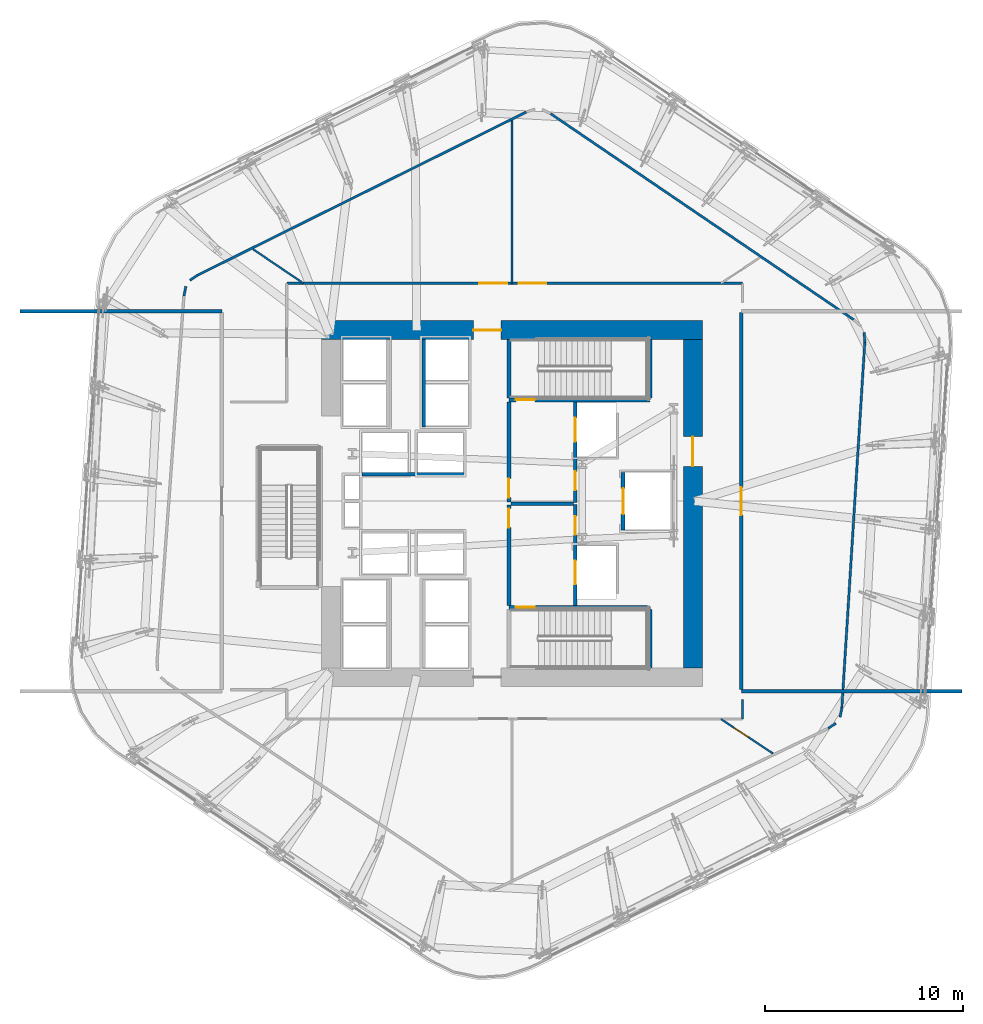
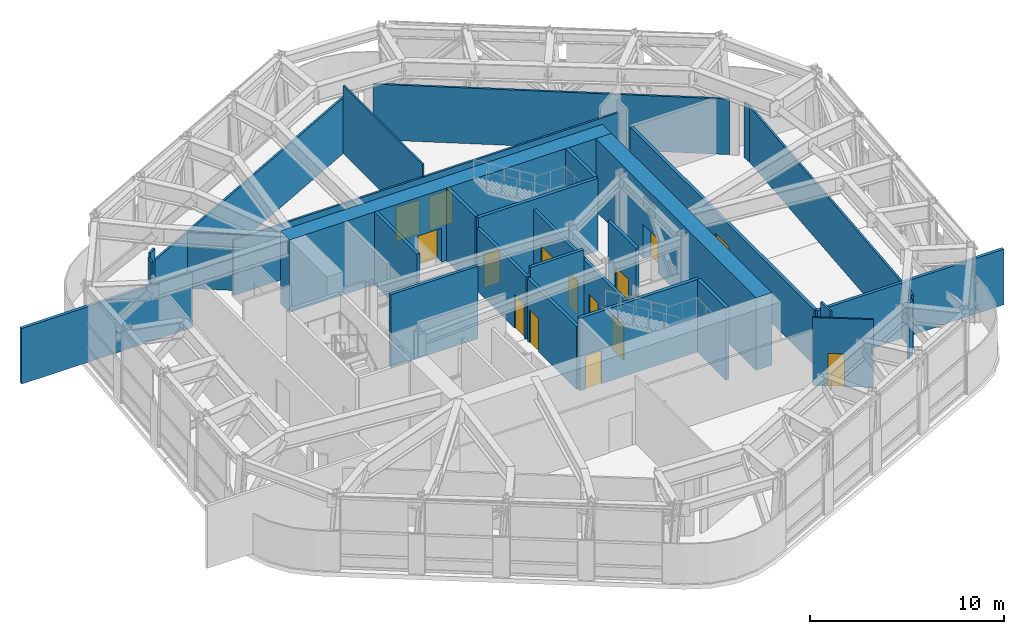
# One storey, part 9 of 14: 31 walls, 15 doors, 15 openings.
"""IFC4 building model written with IfcOpenShell, lengths in metres."""

from ifc_helpers import new_model, si_unit, direction, frame, frame_2d, origin, place, context, subcontext, project, spatial, rectangle, extrude, material, layer, layer_set, type_object, element, fill, save


model = new_model("IFC4")

# Units and contexts
model_context = context("Model", 3, precision=1e-05, world=origin(), true_north=direction((0.0, 1.0)))
body_context = subcontext(model_context, "Body", "Model", "MODEL_VIEW")
ifc_project = project(units=[si_unit("LENGTHUNIT", "METRE"), si_unit("AREAUNIT", "SQUARE_METRE"), si_unit("VOLUMEUNIT", "CUBIC_METRE"), si_unit("PLANEANGLEUNIT", "RADIAN"), si_unit("MASSUNIT", "GRAM", prefix="KILO")], contexts=[model_context])

# Site, building, storey
site_placement = place(None, origin())
site = spatial("IfcSite", under=ifc_project, at=site_placement, CompositionType="ELEMENT")
building_placement = place(site_placement, origin())
building = spatial("IfcBuilding", under=site, at=building_placement, Name="Valkerne Bourse Tower", CompositionType="ELEMENT")
storey_placement = place(building_placement, frame((0.0, 0.0, 135.199951171875)))
storey = spatial("IfcBuildingStorey", under=building, at=storey_placement, Name="L34", CompositionType="ELEMENT", Elevation=135.199951171875)

# Wall, opening, door
ifc_material_1 = material(Name="Concrete C70/85", Category="concrete")
ifc_layer_1 = layer(ifc_material_1, 0.949951171875)
ifc_layer_set_1 = layer_set([ifc_layer_1], Name="Concrete C70/85")
wall_type_1 = type_object("IfcWallType", Name="W-CORE-950", PredefinedType="SHEAR", material=ifc_layer_set_1)
wall_1_placement = place(storey_placement, frame((37.199951171875, 35.625, 0.0), z_axis=(0.0, 0.0, 1.0), x_axis=(1.0, 0.0, 0.0)))
wall_1 = element("IfcWall", 1, at=wall_1_placement, inside=storey, type_object=wall_type_1, Name="L34 Core Shear Wall NORTH", PredefinedType="SHEAR", context=body_context, shape_type="SweptSolid", body=[
    extrude(rectangle(XDim=19.199951171875, YDim=0.949951171875, at=frame_2d((9.60009765625, 0.0))), origin(), (0.0, 0.0, 1.0), 4.580078125),
])
opening_1_placement = place(wall_1_placement, frame((7.64990234375, 0.0, 0.0)))
opening_1 = element("IfcOpeningElement", 2, at=opening_1_placement, cuts=wall_1, Name="Opening D-PL-1400", PredefinedType="OPENING", context=body_context, shape_type="SweptSolid", body=[
    extrude(rectangle(XDim=1.39990234375, YDim=2.14990234375, at=frame_2d((0.699951171875, 1.074951171875))), frame((0.0, 0.48486328125, 0.0), z_axis=(0.0, -1.0, 0.0), x_axis=(1.0, 0.0, 0.0)), (0.0, 0.0, 1.0), 0.969970703125),
])
ifc_material_2 = material(Name="Galvanised Painted Steel", Category="steel")
door_type_1 = type_object("IfcDoorType", Name="DR-PLT-1400", OperationType="DOUBLE_DOOR_SINGLE_SWING", PredefinedType="DOOR", material=ifc_material_2)
door_1_placement = place(opening_1_placement, origin())
door_1 = element("IfcDoor", 3, at=door_1_placement, inside=storey, type_object=door_type_1, Name="L34 North Passenger Lift Hall Fire Door", OperationType="DOUBLE_DOOR_SINGLE_SWING", OverallHeight=2.14990234375, OverallWidth=1.39990234375, PredefinedType="DOOR", context=body_context, shape_type="SweptSolid", body=[
    extrude(rectangle(XDim=1.39990234375, YDim=2.14990234375, at=frame_2d((0.699951171875, 1.074951171875))), frame((0.0, 0.02490234375, 0.0), z_axis=(0.0, -1.0, 0.0), x_axis=(1.0, 0.0, 0.0)), (0.0, 0.0, 1.0), 0.050048828125),
])
fill(opening_1, door_1)

wall_2_placement = place(storey_placement, frame((55.925048828125, 18.60009765625, 0.0), z_axis=(0.0, 0.0, 1.0), x_axis=(0.0, 1.0, 0.0)))
wall_2 = element("IfcWall", 4, at=wall_2_placement, inside=storey, type_object=wall_type_1, Name="L34 Core Shear Wall EAST", PredefinedType="SHEAR", context=body_context, shape_type="SweptSolid", body=[
    extrude(rectangle(XDim=16.5498046875, YDim=0.949951171875, at=frame_2d((8.27490234375, 0.0))), origin(), (0.0, 0.0, 1.0), 4.580078125),
])
opening_2_placement = place(wall_2_placement, frame((10.14990234375, 0.0, 0.0)))
opening_2 = element("IfcOpeningElement", 5, at=opening_2_placement, cuts=wall_2, Name="Opening D-CR-1500", PredefinedType="OPENING", context=body_context, shape_type="SweptSolid", body=[
    extrude(rectangle(XDim=1.5, YDim=2.14990234375, at=frame_2d((0.75, 1.074951171875))), frame((0.0, 0.48486328125, 0.0), z_axis=(0.0, -1.0, 0.0), x_axis=(1.0, 0.0, 0.0)), (0.0, 0.0, 1.0), 0.969970703125),
])
door_type_2 = type_object("IfcDoorType", Name="DR-CORR-1500", OperationType="DOUBLE_DOOR_SINGLE_SWING", PredefinedType="DOOR", material=ifc_material_2)
door_2_placement = place(opening_2_placement, origin())
door_2 = element("IfcDoor", 6, at=door_2_placement, inside=storey, type_object=door_type_2, Name="L34 East Core Service Lobby Fire Door", OperationType="DOUBLE_DOOR_SINGLE_SWING", OverallHeight=2.14990234375, OverallWidth=1.5, PredefinedType="DOOR", context=body_context, shape_type="SweptSolid", body=[
    extrude(rectangle(XDim=1.5, YDim=2.14990234375, at=frame_2d((0.75, 1.074951171875))), frame((0.0, 0.02490234375, 0.0), z_axis=(0.0, -1.0, 0.0), x_axis=(1.0, 0.0, 0.0)), (0.0, 0.0, 1.0), 0.050048828125),
])
fill(opening_2, door_2)

# Walls
ifc_material_3 = material(Name="Gypsum Board Steel-Stud Partition", Category="steel")
ifc_layer_2 = layer(ifc_material_3, 0.117919921875)
ifc_layer_set_2 = layer_set([ifc_layer_2], Name="Gypsum Board Steel-Stud Partition")
wall_type_2 = type_object("IfcWallType", Name="W-CORR-140", PredefinedType="PARTITIONING", material=ifc_layer_set_2)
wall_3_placement = place(storey_placement, frame((64.587646484375, 35.003173828125, 0.0), z_axis=(0.0, 0.0, 1.0), x_axis=(-0.062717310335, -0.998031331665, 0.0)))
element("IfcWall", 7, at=wall_3_placement, inside=storey, type_object=wall_type_2, Name="L34 L34 Outrigger Truss Gallery Ring Wall", PredefinedType="PARTITIONING", context=body_context, shape_type="SweptSolid", body=[
    extrude(rectangle(XDim=18.470947265625, YDim=0.117919921875, at=frame_2d((9.2353515625, 0.0))), origin(), (0.0, 0.0, 1.0), 3.503173828125),
])
wall_4_placement = place(storey_placement, frame((63.42919921875, 16.568603515625, 0.0), z_axis=(0.0, 0.0, 1.0), x_axis=(-0.19772107697, -0.980258320914, 0.0)))
element("IfcWall", 8, at=wall_4_placement, inside=storey, type_object=wall_type_2, Name="L34 L34 Outrigger Truss Gallery Ring Wall", PredefinedType="PARTITIONING", context=body_context, shape_type="SweptSolid", body=[
    extrude(rectangle(XDim=0.468017578125, YDim=0.117919921875, at=frame_2d((0.23388671875, 0.0))), origin(), (0.0, 0.0, 1.0), 3.503173828125),
])
wall_5_placement = place(storey_placement, frame((63.131103515625, 15.803955078125, 0.0), z_axis=(0.0, 0.0, 1.0), x_axis=(-0.83277206291, -0.553616014253, 0.0)))
element("IfcWall", 9, at=wall_5_placement, inside=storey, type_object=wall_type_2, Name="L34 L34 Outrigger Truss Gallery Ring Wall", PredefinedType="PARTITIONING", context=body_context, shape_type="SweptSolid", body=[
    extrude(rectangle(XDim=0.4677734375, YDim=0.117919921875, at=frame_2d((0.23388671875, 0.0))), origin(), (0.0, 0.0, 1.0), 3.503173828125),
])
for number, where, z_axis, x_axis, name in (
    (10, (30.262939453125, 37.343017578125, 0.0), (0.0, 0.0, 1.0), (0.197547707881, 0.980293274031, 0.0), "L34 L34 Outrigger Truss Gallery Ring Wall"),
    (11, (30.565673828125, 38.130859375, 0.0), (0.0, 0.0, 1.0), (0.832889331403, 0.553439573608, 0.0), "L34 L34 Outrigger Truss Gallery Ring Wall"),
):
    element("IfcWall", number, at=place(storey_placement, frame(where, z_axis=z_axis, x_axis=x_axis)), inside=storey, type_object=wall_type_2, Name=name, PredefinedType="PARTITIONING", context=body_context, shape_type="SweptSolid", body=[
        extrude(rectangle(XDim=0.491943359375, YDim=0.117919921875, at=frame_2d((0.24609375, 0.0))), origin(), (0.0, 0.0, 1.0), 4.280029296875),
    ])
wall_6_placement = place(storey_placement, frame((30.975341796875, 38.403076171875, 0.0), z_axis=(0.0, 0.0, 1.0), x_axis=(0.89568197234, 0.444695181474, 0.0)))
element("IfcWall", 12, at=wall_6_placement, inside=storey, type_object=wall_type_2, Name="L34 L34 Outrigger Truss Gallery Ring Wall", PredefinedType="PARTITIONING", context=body_context, shape_type="SweptSolid", body=[
    extrude(rectangle(XDim=18.470703125, YDim=0.117919921875, at=frame_2d((9.2353515625, 0.0))), origin(), (0.0, 0.0, 1.0), 3.503173828125),
])
wall_7_placement = place(storey_placement, frame((48.749755859375, 46.533203125, 0.0), z_axis=(0.0, 0.0, 1.0), x_axis=(0.827038835216, -0.562144790107, 0.0)))
element("IfcWall", 13, at=wall_7_placement, inside=storey, type_object=wall_type_2, Name="L34 L34 Outrigger Truss Gallery Ring Wall", PredefinedType="PARTITIONING", context=body_context, shape_type="SweptSolid", body=[
    extrude(rectangle(XDim=18.470947265625, YDim=0.117919921875, at=frame_2d((9.2353515625, 0.0))), origin(), (0.0, 0.0, 1.0), 3.503173828125),
])
wall_8_placement = place(storey_placement, frame((64.556884765625, 35.493896484375, 0.0), z_axis=(0.0, 0.0, 1.0), x_axis=(0.062563762231, -0.998040968926, 0.0)))
element("IfcWall", 14, at=wall_8_placement, inside=storey, type_object=wall_type_2, Name="L34 L34 Outrigger Truss Gallery Ring Wall", PredefinedType="PARTITIONING", context=body_context, shape_type="SweptSolid", body=[
    extrude(rectangle(XDim=0.49169921875, YDim=0.117919921875, at=frame_2d((0.245849609375, 0.0))), origin(), (0.0, 0.0, 1.0), 3.503173828125),
])

# Wall, openings, doors
wall_9_placement = place(storey_placement, frame((35.449951171875, 37.97998046875, 0.0), z_axis=(0.0, 0.0, 1.0), x_axis=(1.0, 0.0, 0.0)))
wall_9 = element("IfcWall", 15, at=wall_9_placement, inside=storey, type_object=wall_type_2, Name="L34 Corridor Enclosure Wall", PredefinedType="PARTITIONING", context=body_context, shape_type="SweptSolid", body=[
    extrude(rectangle(XDim=22.969970703125, YDim=0.117919921875, at=frame_2d((11.48486328125, 0.0))), origin(), (0.0, 0.0, 1.0), 3.503173828125),
])
opening_3_placement = place(wall_9_placement, frame((11.68505859375, 0.0, 0.0)))
opening_3 = element("IfcOpeningElement", 16, at=opening_3_placement, cuts=wall_9, Name="Opening D-PL-1400", PredefinedType="OPENING", context=body_context, shape_type="SweptSolid", body=[
    extrude(rectangle(XDim=1.39990234375, YDim=2.14990234375, at=frame_2d((0.699951171875, 1.074951171875))), frame((0.0, 0.06884765625, 0.0), z_axis=(0.0, -1.0, 0.0), x_axis=(1.0, 0.0, 0.0)), (0.0, 0.0, 1.0), 0.137939453125),
])
opening_4_placement = place(wall_9_placement, frame((9.705078125, 0.0, 0.0)))
opening_4 = element("IfcOpeningElement", 17, at=opening_4_placement, cuts=wall_9, Name="Opening D-PL-1400", PredefinedType="OPENING", context=body_context, shape_type="SweptSolid", body=[
    extrude(rectangle(XDim=1.39990234375, YDim=2.14990234375, at=frame_2d((0.699951171875, 1.074951171875))), frame((0.0, 0.06884765625, 0.0), z_axis=(0.0, -1.0, 0.0), x_axis=(1.0, 0.0, 0.0)), (0.0, 0.0, 1.0), 0.137939453125),
])
door_3_placement = place(opening_3_placement, origin())
door_3 = element("IfcDoor", 18, at=door_3_placement, inside=storey, type_object=door_type_1, Name="L34 L34 Zone Smoke-Control & BMS Mechanical Plant Room 5 Door", OperationType="DOUBLE_DOOR_SINGLE_SWING", OverallHeight=2.14990234375, OverallWidth=1.39990234375, PredefinedType="DOOR", context=body_context, shape_type="SweptSolid", body=[
    extrude(rectangle(XDim=1.39990234375, YDim=2.14990234375, at=frame_2d((0.699951171875, 1.074951171875))), frame((0.0, 0.02490234375, 0.0), z_axis=(0.0, -1.0, 0.0), x_axis=(1.0, 0.0, 0.0)), (0.0, 0.0, 1.0), 0.050048828125),
])
fill(opening_3, door_3)
door_4_placement = place(opening_4_placement, origin())
door_4 = element("IfcDoor", 19, at=door_4_placement, inside=storey, type_object=door_type_1, Name="L34 L34 Supply & Return AHU Mechanical Plant Room 6 Door", OperationType="DOUBLE_DOOR_SINGLE_SWING", OverallHeight=2.14990234375, OverallWidth=1.39990234375, PredefinedType="DOOR", context=body_context, shape_type="SweptSolid", body=[
    extrude(rectangle(XDim=1.39990234375, YDim=2.14990234375, at=frame_2d((0.699951171875, 1.074951171875))), frame((0.0, 0.02490234375, 0.0), z_axis=(0.0, -1.0, 0.0), x_axis=(1.0, 0.0, 0.0)), (0.0, 0.0, 1.0), 0.050048828125),
])
fill(opening_4, door_4)

# Walls
wall_10_placement = place(storey_placement, frame((58.419921875, 16.991455078125, 0.0), z_axis=(0.0, 0.0, 1.0), x_axis=(0.0, -1.0, 0.0)))
element("IfcWall", 20, at=wall_10_placement, inside=storey, type_object=wall_type_2, Name="L34 Corridor Enclosure Wall", PredefinedType="PARTITIONING", context=body_context, shape_type="SweptSolid", body=[
    extrude(rectangle(XDim=0.971435546875, YDim=0.117919921875, at=frame_2d((0.48583984375, 0.0))), origin(), (0.0, 0.0, 1.0), 4.280029296875),
])
ifc_material_4 = material(Name="Gypsum Fire-Rated Shaftwall", Category="gypsum")
ifc_layer_3 = layer(ifc_material_4, 0.179931640625)
ifc_layer_set_3 = layer_set([ifc_layer_3], Name="Gypsum Fire-Rated Shaftwall")
wall_type_3 = type_object("IfcWallType", Name="W-FSAE-180", PredefinedType="PARTITIONING", material=ifc_layer_set_3)
wall_11_placement = place(storey_placement, frame((46.739990234375, 26.8798828125, 0.0), z_axis=(0.0, 0.0, 1.0), x_axis=(1.0, 0.0, 0.0)))
element("IfcWall", 21, at=wall_11_placement, inside=storey, type_object=wall_type_3, Name="L34 FSAE-1/2 Lobby Dividing Fire Wall", PredefinedType="PARTITIONING", context=body_context, shape_type="SweptSolid", body=[
    extrude(rectangle(XDim=3.169921875, YDim=0.179931640625, at=frame_2d((1.5849609375, 0.0))), origin(), (0.0, 0.0, 1.0), 4.580078125),
])

# Wall, opening, door
wall_12_placement = place(storey_placement, frame((46.64990234375, 21.75, 0.0), z_axis=(0.0, 0.0, 1.0), x_axis=(0.0, 1.0, 0.0)))
wall_12 = element("IfcWall", 22, at=wall_12_placement, inside=storey, type_object=wall_type_3, Name="L34 FSAE-1 Lobby West Fire Wall", PredefinedType="PARTITIONING", context=body_context, shape_type="SweptSolid", body=[
    extrude(rectangle(XDim=5.050048828125, YDim=0.179931640625, at=frame_2d((2.52490234375, 0.0))), origin(), (0.0, 0.0, 1.0), 3.9580078125),
])
opening_5_placement = place(wall_12_placement, frame((3.919921875, 0.0, 0.0)))
opening_5 = element("IfcOpeningElement", 23, at=opening_5_placement, cuts=wall_12, Name="Opening D-FS-950", PredefinedType="OPENING", context=body_context, shape_type="SweptSolid", body=[
    extrude(rectangle(XDim=0.949951171875, YDim=2.10009765625, at=frame_2d((0.47509765625, 1.050048828125))), frame((0.0, 0.099853515625, 0.0), z_axis=(0.0, -1.0, 0.0), x_axis=(1.0, 0.0, 0.0)), (0.0, 0.0, 1.0), 0.199951171875),
])
door_type_3 = type_object("IfcDoorType", Name="DR-FSAE-950", OperationType="NOTDEFINED", PredefinedType="DOOR", material=ifc_material_2)
door_5_placement = place(opening_5_placement, origin())
door_5 = element("IfcDoor", 24, at=door_5_placement, inside=storey, type_object=door_type_3, Name="L34 FSAE-1 Hall Link Fire Door", OperationType="SINGLE_SWING_RIGHT", OverallHeight=2.10009765625, OverallWidth=0.949951171875, PredefinedType="DOOR", context=body_context, shape_type="SweptSolid", body=[
    extrude(rectangle(XDim=0.949951171875, YDim=2.10009765625, at=frame_2d((0.47509765625, 1.050048828125))), frame((0.0, 0.02490234375, 0.0), z_axis=(0.0, -1.0, 0.0), x_axis=(1.0, 0.0, 0.0)), (0.0, 0.0, 1.0), 0.050048828125),
])
fill(opening_5, door_5)

wall_13_placement = place(storey_placement, frame((46.64990234375, 26.9599609375, 0.0), z_axis=(0.0, 0.0, 1.0), x_axis=(0.0, 1.0, 0.0)))
wall_13 = element("IfcWall", 25, at=wall_13_placement, inside=storey, type_object=wall_type_3, Name="L34 FSAE-2 Lobby West Fire Wall", PredefinedType="PARTITIONING", context=body_context, shape_type="SweptSolid", body=[
    extrude(rectangle(XDim=5.0400390625, YDim=0.179931640625, at=frame_2d((2.52001953125, 0.0))), origin(), (0.0, 0.0, 1.0), 3.9580078125),
])
opening_6_placement = place(wall_13_placement, frame((0.219970703125, 0.0, 0.0)))
opening_6 = element("IfcOpeningElement", 26, at=opening_6_placement, cuts=wall_13, Name="Opening D-FS-950", PredefinedType="OPENING", context=body_context, shape_type="SweptSolid", body=[
    extrude(rectangle(XDim=0.949951171875, YDim=2.10009765625, at=frame_2d((0.47509765625, 1.050048828125))), frame((0.0, 0.099853515625, 0.0), z_axis=(0.0, -1.0, 0.0), x_axis=(1.0, 0.0, 0.0)), (0.0, 0.0, 1.0), 0.199951171875),
])
door_6_placement = place(opening_6_placement, origin())
door_6 = element("IfcDoor", 27, at=door_6_placement, inside=storey, type_object=door_type_3, Name="L34 FSAE-2 Hall Link Fire Door", OperationType="SINGLE_SWING_RIGHT", OverallHeight=2.10009765625, OverallWidth=0.949951171875, PredefinedType="DOOR", context=body_context, shape_type="SweptSolid", body=[
    extrude(rectangle(XDim=0.949951171875, YDim=2.10009765625, at=frame_2d((0.47509765625, 1.050048828125))), frame((0.0, 0.02490234375, 0.0), z_axis=(0.0, -1.0, 0.0), x_axis=(1.0, 0.0, 0.0)), (0.0, 0.0, 1.0), 0.050048828125),
])
fill(opening_6, door_6)

# Wall, openings, doors
wall_14_placement = place(storey_placement, frame((50.0, 21.75, 0.0), z_axis=(0.0, 0.0, 1.0), x_axis=(0.0, 1.0, 0.0)))
wall_14 = element("IfcWall", 28, at=wall_14_placement, inside=storey, type_object=wall_type_3, Name="L34 FSAE-1 Lobby & Shaft Front Wall", PredefinedType="PARTITIONING", context=body_context, shape_type="SweptSolid", body=[
    extrude(rectangle(XDim=5.090087890625, YDim=0.179931640625, at=frame_2d((2.544921875, 0.0))), origin(), (0.0, 0.0, 1.0), 3.9580078125),
])
opening_7_placement = place(wall_14_placement, frame((1.050048828125, 0.0, 0.0)))
opening_7 = element("IfcOpeningElement", 29, at=opening_7_placement, cuts=wall_14, Name="Opening LD-1200", PredefinedType="OPENING", context=body_context, shape_type="SweptSolid", body=[
    extrude(rectangle(XDim=1.199951171875, YDim=2.14990234375, at=frame_2d((0.60009765625, 1.074951171875))), frame((0.0, 0.099853515625, 0.0), z_axis=(0.0, -1.0, 0.0), x_axis=(1.0, 0.0, 0.0)), (0.0, 0.0, 1.0), 0.199951171875),
])
opening_8_placement = place(wall_14_placement, frame((3.550048828125, 0.0, 0.0)))
opening_8 = element("IfcOpeningElement", 30, at=opening_8_placement, cuts=wall_14, Name="Opening D-FS-950", PredefinedType="OPENING", context=body_context, shape_type="SweptSolid", body=[
    extrude(rectangle(XDim=0.949951171875, YDim=2.10009765625, at=frame_2d((0.47509765625, 1.050048828125))), frame((0.0, 0.099853515625, 0.0), z_axis=(0.0, -1.0, 0.0), x_axis=(1.0, 0.0, 0.0)), (0.0, 0.0, 1.0), 0.199951171875),
])
door_7_placement = place(opening_8_placement, origin())
door_7 = element("IfcDoor", 31, at=door_7_placement, inside=storey, type_object=door_type_3, Name="L34 FSAE-1 Lobby Corridor Fire Door", OperationType="SINGLE_SWING_RIGHT", OverallHeight=2.10009765625, OverallWidth=0.949951171875, PredefinedType="DOOR", context=body_context, shape_type="SweptSolid", body=[
    extrude(rectangle(XDim=0.949951171875, YDim=2.10009765625, at=frame_2d((0.47509765625, 1.050048828125))), frame((0.0, 0.02490234375, 0.0), z_axis=(0.0, -1.0, 0.0), x_axis=(1.0, 0.0, 0.0)), (0.0, 0.0, 1.0), 0.050048828125),
])
fill(opening_8, door_7)
ifc_material_5 = material(Name="Stainless Steel AISI 316", Category="steel")
door_type_4 = type_object("IfcDoorType", Name="DR-LIFT-1200", OperationType="DOUBLE_DOOR_SLIDING", PredefinedType="DOOR", material=ifc_material_5)
door_8_placement = place(opening_7_placement, origin())
door_8 = element("IfcDoor", 32, at=door_8_placement, inside=storey, type_object=door_type_4, Name="L34 FSAE-1 Firefighting Lift Landing Door", OperationType="DOUBLE_DOOR_SLIDING", OverallHeight=2.14990234375, OverallWidth=1.199951171875, PredefinedType="DOOR", context=body_context, shape_type="SweptSolid", body=[
    extrude(rectangle(XDim=1.199951171875, YDim=2.14990234375, at=frame_2d((0.60009765625, 1.074951171875))), frame((0.0, 0.02490234375, 0.0), z_axis=(0.0, -1.0, 0.0), x_axis=(1.0, 0.0, 0.0)), (0.0, 0.0, 1.0), 0.050048828125),
])
fill(opening_7, door_8)

wall_15_placement = place(storey_placement, frame((50.0, 26.919921875, 0.0), z_axis=(0.0, 0.0, 1.0), x_axis=(0.0, 1.0, 0.0)))
wall_15 = element("IfcWall", 33, at=wall_15_placement, inside=storey, type_object=wall_type_3, Name="L34 FSAE-2 Lobby & Shaft Front Wall", PredefinedType="PARTITIONING", context=body_context, shape_type="SweptSolid", body=[
    extrude(rectangle(XDim=5.080078125, YDim=0.179931640625, at=frame_2d((2.5400390625, 0.0))), origin(), (0.0, 0.0, 1.0), 3.9580078125),
])
opening_9_placement = place(wall_15_placement, frame((3.080078125, 0.0, 0.0)))
opening_9 = element("IfcOpeningElement", 34, at=opening_9_placement, cuts=wall_15, Name="Opening LD-1200", PredefinedType="OPENING", context=body_context, shape_type="SweptSolid", body=[
    extrude(rectangle(XDim=1.199951171875, YDim=2.14990234375, at=frame_2d((0.60009765625, 1.074951171875))), frame((0.0, 0.099853515625, 0.0), z_axis=(0.0, -1.0, 0.0), x_axis=(1.0, 0.0, 0.0)), (0.0, 0.0, 1.0), 0.199951171875),
])
opening_10_placement = place(wall_15_placement, frame((0.6298828125, 0.0, 0.0)))
opening_10 = element("IfcOpeningElement", 35, at=opening_10_placement, cuts=wall_15, Name="Opening D-FS-950", PredefinedType="OPENING", context=body_context, shape_type="SweptSolid", body=[
    extrude(rectangle(XDim=0.949951171875, YDim=2.10009765625, at=frame_2d((0.47509765625, 1.050048828125))), frame((0.0, 0.099853515625, 0.0), z_axis=(0.0, -1.0, 0.0), x_axis=(1.0, 0.0, 0.0)), (0.0, 0.0, 1.0), 0.199951171875),
])
door_9_placement = place(opening_10_placement, origin())
door_9 = element("IfcDoor", 36, at=door_9_placement, inside=storey, type_object=door_type_3, Name="L34 FSAE-2 Lobby Corridor Fire Door", OperationType="SINGLE_SWING_RIGHT", OverallHeight=2.10009765625, OverallWidth=0.949951171875, PredefinedType="DOOR", context=body_context, shape_type="SweptSolid", body=[
    extrude(rectangle(XDim=0.949951171875, YDim=2.10009765625, at=frame_2d((0.47509765625, 1.050048828125))), frame((0.0, 0.02490234375, 0.0), z_axis=(0.0, -1.0, 0.0), x_axis=(1.0, 0.0, 0.0)), (0.0, 0.0, 1.0), 0.050048828125),
])
fill(opening_10, door_9)
door_10_placement = place(opening_9_placement, origin())
door_10 = element("IfcDoor", 37, at=door_10_placement, inside=storey, type_object=door_type_4, Name="L34 FSAE-2 Firefighting Lift Landing Door", OperationType="DOUBLE_DOOR_SLIDING", OverallHeight=2.14990234375, OverallWidth=1.199951171875, PredefinedType="DOOR", context=body_context, shape_type="SweptSolid", body=[
    extrude(rectangle(XDim=1.199951171875, YDim=2.14990234375, at=frame_2d((0.60009765625, 1.074951171875))), frame((0.0, 0.02490234375, 0.0), z_axis=(0.0, -1.0, 0.0), x_axis=(1.0, 0.0, 0.0)), (0.0, 0.0, 1.0), 0.050048828125),
])
fill(opening_9, door_10)

# Wall
wall_16_placement = place(storey_placement, frame((22.0, 36.580078125, 0.0), z_axis=(0.0, 0.0, 1.0), x_axis=(1.0, 0.0, 0.0)))
element("IfcWall", 38, at=wall_16_placement, inside=storey, type_object=wall_type_3, Name="L34 L34 West Sky Refuge North Wall", PredefinedType="PARTITIONING", context=body_context, shape_type="SweptSolid", body=[
    extrude(rectangle(XDim=10.179931640625, YDim=0.179931640625, at=frame_2d((5.08984375, 0.0))), origin(), (0.0, 0.0, 1.0), 3.503173828125),
])

# Wall, opening, door
wall_17_placement = place(storey_placement, frame((58.3701171875, 17.5, 0.0), z_axis=(0.0, 0.0, 1.0), x_axis=(0.0, 1.0, 0.0)))
wall_17 = element("IfcWall", 39, at=wall_17_placement, inside=storey, type_object=wall_type_3, Name="L34 L34 East Sky Refuge Fire Wall", PredefinedType="PARTITIONING", context=body_context, shape_type="SweptSolid", body=[
    extrude(rectangle(XDim=19.0, YDim=0.179931640625, at=frame_2d((9.5, 0.0))), origin(), (0.0, 0.0, 1.0), 3.503173828125),
])
opening_11_placement = place(wall_17_placement, frame((8.800048828125, 0.0, 0.0)))
opening_11 = element("IfcOpeningElement", 40, at=opening_11_placement, cuts=wall_17, Name="Opening D-PL-1400", PredefinedType="OPENING", context=body_context, shape_type="SweptSolid", body=[
    extrude(rectangle(XDim=1.39990234375, YDim=2.14990234375, at=frame_2d((0.699951171875, 1.074951171875))), frame((0.0, 0.099853515625, 0.0), z_axis=(0.0, -1.0, 0.0), x_axis=(1.0, 0.0, 0.0)), (0.0, 0.0, 1.0), 0.199951171875),
])
door_11_placement = place(opening_11_placement, origin())
door_11 = element("IfcDoor", 41, at=door_11_placement, inside=storey, type_object=door_type_1, Name="L34 L34 East Sky Refuge Door", OperationType="DOUBLE_DOOR_SINGLE_SWING", OverallHeight=2.14990234375, OverallWidth=1.39990234375, PredefinedType="DOOR", context=body_context, shape_type="SweptSolid", body=[
    extrude(rectangle(XDim=1.39990234375, YDim=2.14990234375, at=frame_2d((0.699951171875, 1.074951171875))), frame((0.0, 0.02490234375, 0.0), z_axis=(0.0, -1.0, 0.0), x_axis=(1.0, 0.0, 0.0)), (0.0, 0.0, 1.0), 0.050048828125),
])
fill(opening_11, door_11)

# Wall
wall_18_placement = place(storey_placement, frame((58.3701171875, 17.419921875, 0.0), z_axis=(0.0, 0.0, 1.0), x_axis=(1.0, 0.0, 0.0)))
element("IfcWall", 42, at=wall_18_placement, inside=storey, type_object=wall_type_3, Name="L34 L34 East Sky Refuge South Wall", PredefinedType="PARTITIONING", context=body_context, shape_type="SweptSolid", body=[
    extrude(rectangle(XDim=11.1298828125, YDim=0.179931640625, at=frame_2d((5.56494140625, 0.0))), origin(), (0.0, 0.0, 1.0), 3.503173828125),
])

# Wall, opening, door
ifc_material_6 = material(Name="CMU Blockwork Masonry 200mm", Category="masonry")
ifc_layer_4 = layer(ifc_material_6, 0.179931640625)
ifc_layer_set_4 = layer_set([ifc_layer_4], Name="CMU Blockwork Masonry 200mm")
wall_type_4 = type_object("IfcWallType", Name="W-LFT-180", PredefinedType="SOLIDWALL", material=ifc_layer_set_4)
wall_19_placement = place(storey_placement, frame((52.39990234375, 25.550048828125, 0.0), z_axis=(0.0, 0.0, 1.0), x_axis=(0.0, 1.0, 0.0)))
wall_19 = element("IfcWall", 43, at=wall_19_placement, inside=storey, type_object=wall_type_4, Name="L34 Service Lift SV-1 Front Wall", PredefinedType="SOLIDWALL", context=body_context, shape_type="SweptSolid", body=[
    extrude(rectangle(XDim=2.89990234375, YDim=0.179931640625, at=frame_2d((1.449951171875, 0.0))), origin(), (0.0, 0.0, 1.0), 4.580078125),
])
opening_12_placement = place(wall_19_placement, frame((0.800048828125, 0.0, 0.0)))
opening_12 = element("IfcOpeningElement", 44, at=opening_12_placement, cuts=wall_19, Name="Opening LD-1300", PredefinedType="OPENING", context=body_context, shape_type="SweptSolid", body=[
    extrude(rectangle(XDim=1.300048828125, YDim=2.14990234375, at=frame_2d((0.64990234375, 1.074951171875))), frame((0.0, 0.099853515625, 0.0), z_axis=(0.0, -1.0, 0.0), x_axis=(1.0, 0.0, 0.0)), (0.0, 0.0, 1.0), 0.199951171875),
])
door_type_5 = type_object("IfcDoorType", Name="DR-LIFT-1300", OperationType="DOUBLE_DOOR_SLIDING", PredefinedType="DOOR", material=ifc_material_5)
door_12_placement = place(opening_12_placement, origin())
door_12 = element("IfcDoor", 45, at=door_12_placement, inside=storey, type_object=door_type_5, Name="L34 Service Lift SV-1 Landing Door", OperationType="DOUBLE_DOOR_SLIDING", OverallHeight=2.14990234375, OverallWidth=1.300048828125, PredefinedType="DOOR", context=body_context, shape_type="SweptSolid", body=[
    extrude(rectangle(XDim=1.300048828125, YDim=2.14990234375, at=frame_2d((0.64990234375, 1.074951171875))), frame((0.0, 0.02490234375, 0.0), z_axis=(0.0, -1.0, 0.0), x_axis=(1.0, 0.0, 0.0)), (0.0, 0.0, 1.0), 0.050048828125),
])
fill(opening_12, door_12)

# Walls
wall_20_placement = place(storey_placement, frame((42.35009765625, 30.75, 0.0), z_axis=(0.0, 0.0, 1.0), x_axis=(0.0, 1.0, 0.0)))
element("IfcWall", 46, at=wall_20_placement, inside=storey, type_object=wall_type_4, Name="L34 Mid-Zone East Cars Front Wall", PredefinedType="SOLIDWALL", context=body_context, shape_type="SweptSolid", body=[
    extrude(rectangle(XDim=4.39990234375, YDim=0.179931640625, at=frame_2d((2.199951171875, 0.0))), origin(), (0.0, 0.0, 1.0), 4.580078125),
])
wall_21_placement = place(storey_placement, frame((39.25, 28.35009765625, 0.0), z_axis=(0.0, 0.0, 1.0), x_axis=(1.0, 0.0, 0.0)))
element("IfcWall", 47, at=wall_21_placement, inside=storey, type_object=wall_type_4, Name="L34 High-Zone North Cars Front Wall", PredefinedType="SOLIDWALL", context=body_context, shape_type="SweptSolid", body=[
    extrude(rectangle(XDim=5.199951171875, YDim=0.179931640625, at=frame_2d((2.60009765625, 0.0))), origin(), (0.0, 0.0, 1.0), 4.580078125),
])
ifc_layer_5 = layer(ifc_material_3, 0.092041015625)
ifc_layer_set_5 = layer_set([ifc_layer_5], Name="Gypsum Board Steel-Stud Partition")
wall_type_5 = type_object("IfcWallType", Name="W-PART-115", PredefinedType="PARTITIONING", material=ifc_layer_set_5)
wall_22_placement = place(storey_placement, frame((46.800048828125, 37.985107421875, 0.0), z_axis=(0.0, 0.0, 1.0), x_axis=(0.0, 1.0, 0.0)))
element("IfcWall", 48, at=wall_22_placement, inside=storey, type_object=wall_type_5, Name="L34 Suite Partition P02", PredefinedType="PARTITIONING", context=body_context, shape_type="SweptSolid", body=[
    extrude(rectangle(XDim=8.196533203125, YDim=0.092041015625, at=frame_2d((4.09814453125, 0.0))), origin(), (0.0, 0.0, 1.0), 4.280029296875),
])
wall_23_placement = place(storey_placement, frame((36.282958984375, 37.985107421875, 0.0), z_axis=(0.0, 0.0, 1.0), x_axis=(-0.828314972592, 0.560262711753, 0.0)))
element("IfcWall", 49, at=wall_23_placement, inside=storey, type_object=wall_type_5, Name="L34 Suite Partition P04", PredefinedType="PARTITIONING", context=body_context, shape_type="SweptSolid", body=[
    extrude(rectangle(XDim=3.06201171875, YDim=0.092041015625, at=frame_2d((1.531005859375, 0.0))), origin(), (0.0, 0.0, 1.0), 3.503173828125),
])

# Wall, opening, door
wall_24_placement = place(storey_placement, frame((57.333740234375, 16.014892578125, 0.0), z_axis=(0.0, 0.0, 1.0), x_axis=(0.834274182674, -0.551349787453, 0.0)))
wall_24 = element("IfcWall", 50, at=wall_24_placement, inside=storey, type_object=wall_type_5, Name="L34 Suite Partition P05", PredefinedType="PARTITIONING", context=body_context, shape_type="SweptSolid", body=[
    extrude(rectangle(XDim=3.148681640625, YDim=0.092041015625, at=frame_2d((1.57421875, 0.0))), origin(), (0.0, 0.0, 1.0), 4.280029296875),
])
opening_13_placement = place(wall_24_placement, frame((0.801025390625, 0.0, 0.0)))
opening_13 = element("IfcOpeningElement", 51, at=opening_13_placement, cuts=wall_24, Name="Opening D-WC-900", PredefinedType="OPENING", context=body_context, shape_type="SweptSolid", body=[
    extrude(rectangle(XDim=0.860107421875, YDim=2.050048828125, at=frame_2d((0.43017578125, 1.02490234375))), frame((0.0, 0.055908203125, 0.0), z_axis=(0.0, -1.0, 0.0), x_axis=(1.0, 0.0, 0.0)), (0.0, 0.0, 1.0), 0.112060546875),
])
ifc_material_7 = material(Name="Architectural White Oak Timber", Category="wood")
door_type_6 = type_object("IfcDoorType", Name="DR-WC-900", OperationType="NOTDEFINED", PredefinedType="DOOR", material=ifc_material_7)
door_13_placement = place(opening_13_placement, origin())
door_13 = element("IfcDoor", 52, at=door_13_placement, inside=storey, type_object=door_type_6, Name="L34 L34 High-Voltage Transformer Electrical Switchroom Plant 3 Suite Door", OperationType="SINGLE_SWING_RIGHT", OverallHeight=2.050048828125, OverallWidth=0.860107421875, PredefinedType="DOOR", context=body_context, shape_type="SweptSolid", body=[
    extrude(rectangle(XDim=0.860107421875, YDim=2.050048828125, at=frame_2d((0.43017578125, 1.02490234375))), frame((0.0, 0.02490234375, 0.0), z_axis=(0.0, -1.0, 0.0), x_axis=(1.0, 0.0, 0.0)), (0.0, 0.0, 1.0), 0.050048828125),
])
fill(opening_13, door_13)

ifc_material_8 = material(Name="Concrete C40/50", Category="concrete")
ifc_layer_6 = layer(ifc_material_8, 0.199951171875)
ifc_layer_set_6 = layer_set([ifc_layer_6], Name="Concrete C40/50")
wall_type_6 = type_object("IfcWallType", Name="W-SHF-200", PredefinedType="SHEAR", material=ifc_layer_set_6)
wall_25_placement = place(storey_placement, frame((46.64990234375, 21.64990234375, 0.0), z_axis=(0.0, 0.0, 1.0), x_axis=(1.0, 0.0, 0.0)))
wall_25 = element("IfcWall", 53, at=wall_25_placement, inside=storey, type_object=wall_type_6, Name="L34 Exit Stair ST-1 Structural Shaft Wall North", PredefinedType="SHEAR", context=body_context, shape_type="SweptSolid", body=[
    extrude(rectangle(XDim=7.10009765625, YDim=0.199951171875, at=frame_2d((3.550048828125, 0.0))), origin(), (0.0, 0.0, 1.0), 4.580078125),
])
opening_14_placement = place(wall_25_placement, frame((0.35009765625, 0.0, 0.0)))
opening_14 = element("IfcOpeningElement", 54, at=opening_14_placement, cuts=wall_25, Name="Opening D-ST-950", PredefinedType="OPENING", context=body_context, shape_type="SweptSolid", body=[
    extrude(rectangle(XDim=0.949951171875, YDim=2.10009765625, at=frame_2d((0.47509765625, 1.050048828125))), frame((0.0, 0.10986328125, 0.0), z_axis=(0.0, -1.0, 0.0), x_axis=(1.0, 0.0, 0.0)), (0.0, 0.0, 1.0), 0.219970703125),
])
door_type_7 = type_object("IfcDoorType", Name="DR-STAIR-950", OperationType="NOTDEFINED", PredefinedType="DOOR", material=ifc_material_2)
door_14_placement = place(opening_14_placement, origin())
door_14 = element("IfcDoor", 55, at=door_14_placement, inside=storey, type_object=door_type_7, Name="L34 Exit Stair ST-1 Door", OperationType="SINGLE_SWING_LEFT", OverallHeight=2.10009765625, OverallWidth=0.949951171875, PredefinedType="DOOR", context=body_context, shape_type="SweptSolid", body=[
    extrude(rectangle(XDim=0.949951171875, YDim=2.10009765625, at=frame_2d((0.47509765625, 1.050048828125))), frame((0.0, 0.02490234375, 0.0), z_axis=(0.0, -1.0, 0.0), x_axis=(1.0, 0.0, 0.0)), (0.0, 0.0, 1.0), 0.050048828125),
])
fill(opening_14, door_14)

# Wall
wall_26_placement = place(storey_placement, frame((53.75, 18.60009765625, 0.0), z_axis=(0.0, 0.0, 1.0), x_axis=(0.0, 1.0, 0.0)))
element("IfcWall", 56, at=wall_26_placement, inside=storey, type_object=wall_type_6, Name="L34 Exit Stair ST-1 Structural Shaft Wall East", PredefinedType="SHEAR", context=body_context, shape_type="SweptSolid", body=[
    extrude(rectangle(XDim=2.949951171875, YDim=0.199951171875, at=frame_2d((1.47509765625, 0.0))), origin(), (0.0, 0.0, 1.0), 4.580078125),
])

# Wall, opening, door
wall_27_placement = place(storey_placement, frame((46.64990234375, 32.10009765625, 0.0), z_axis=(0.0, 0.0, 1.0), x_axis=(1.0, 0.0, 0.0)))
wall_27 = element("IfcWall", 57, at=wall_27_placement, inside=storey, type_object=wall_type_6, Name="L34 Exit Stair ST-2 Structural Shaft Wall South", PredefinedType="SHEAR", context=body_context, shape_type="SweptSolid", body=[
    extrude(rectangle(XDim=7.10009765625, YDim=0.199951171875, at=frame_2d((3.550048828125, 0.0))), origin(), (0.0, 0.0, 1.0), 4.580078125),
])
opening_15_placement = place(wall_27_placement, frame((0.35009765625, 0.0, 0.0)))
opening_15 = element("IfcOpeningElement", 58, at=opening_15_placement, cuts=wall_27, Name="Opening D-ST-950", PredefinedType="OPENING", context=body_context, shape_type="SweptSolid", body=[
    extrude(rectangle(XDim=0.949951171875, YDim=2.10009765625, at=frame_2d((0.47509765625, 1.050048828125))), frame((0.0, 0.10986328125, 0.0), z_axis=(0.0, -1.0, 0.0), x_axis=(1.0, 0.0, 0.0)), (0.0, 0.0, 1.0), 0.219970703125),
])
door_15_placement = place(opening_15_placement, origin())
door_15 = element("IfcDoor", 59, at=door_15_placement, inside=storey, type_object=door_type_7, Name="L34 Exit Stair ST-2 Door", OperationType="SINGLE_SWING_RIGHT", OverallHeight=2.10009765625, OverallWidth=0.949951171875, PredefinedType="DOOR", context=body_context, shape_type="SweptSolid", body=[
    extrude(rectangle(XDim=0.949951171875, YDim=2.10009765625, at=frame_2d((0.47509765625, 1.050048828125))), frame((0.0, 0.02490234375, 0.0), z_axis=(0.0, -1.0, 0.0), x_axis=(1.0, 0.0, 0.0)), (0.0, 0.0, 1.0), 0.050048828125),
])
fill(opening_15, door_15)

# Walls
for number, where, z_axis, x_axis, name in (
    (60, (46.64990234375, 32.199951171875, 0.0), (0.0, 0.0, 1.0), (0.0, 1.0, 0.0), "L34 Exit Stair ST-2 Structural Shaft Wall West"),
    (61, (53.75, 32.199951171875, 0.0), (0.0, 0.0, 1.0), (0.0, 1.0, 0.0), "L34 Exit Stair ST-2 Structural Shaft Wall East"),
):
    element("IfcWall", number, at=place(storey_placement, frame(where, z_axis=z_axis, x_axis=x_axis)), inside=storey, type_object=wall_type_6, Name=name, PredefinedType="SHEAR", context=body_context, shape_type="SweptSolid", body=[
        extrude(rectangle(XDim=2.949951171875, YDim=0.199951171875, at=frame_2d((1.47509765625, 0.0))), origin(), (0.0, 0.0, 1.0), 4.580078125),
    ])

save(model, "model.ifc")
